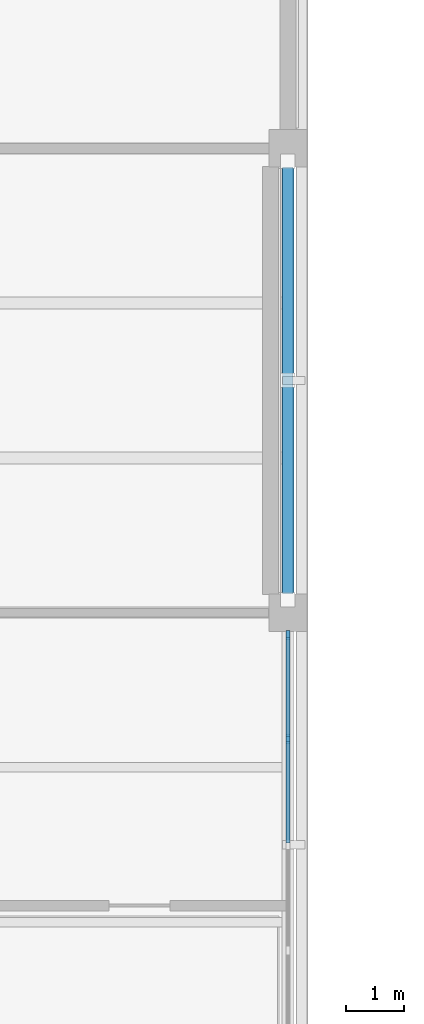
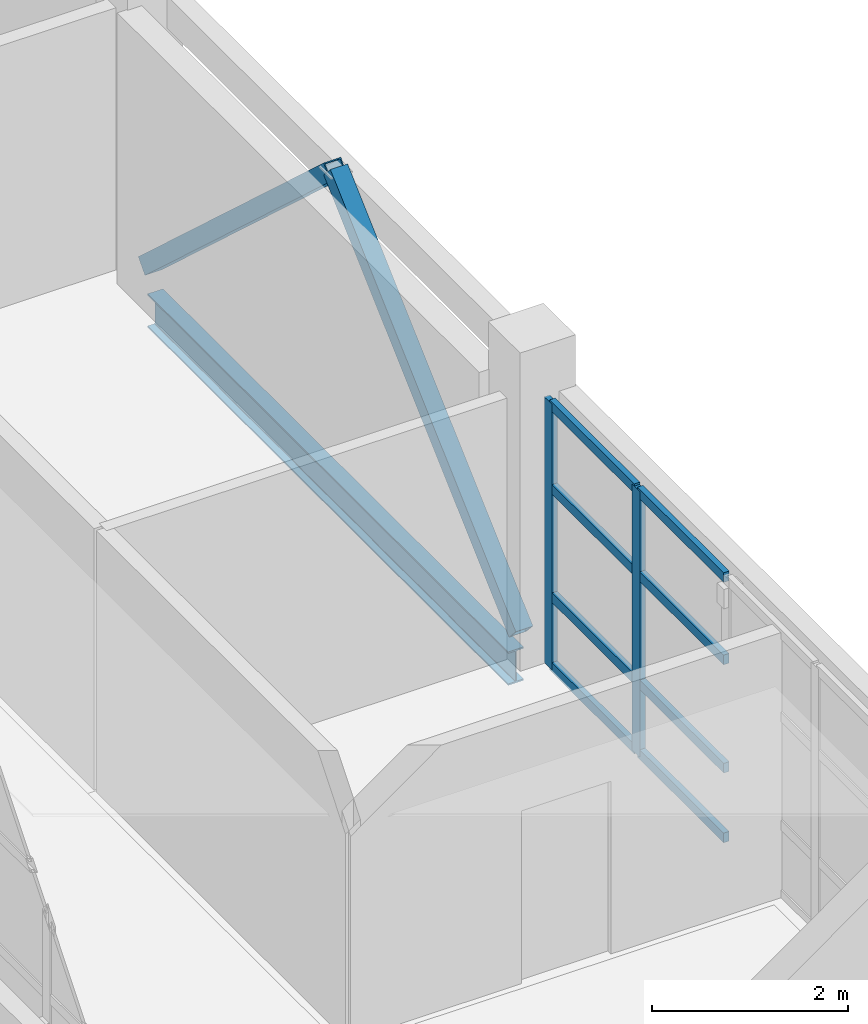
# One storey, part 44 of 92: 12 members, 1 beam, 1 element without a shape of its own.
"""IFC4 building model written with IfcOpenShell, lengths in metres."""

from ifc_helpers import new_model, si_unit, derived_unit, direction, frame, origin, origin_2d, place, context, subcontext, project, spatial, rectangle, hollow_rectangle, i_section, extrude, material, layer, layer_set, material_profile, profile_set, type_object, element, aggregate, save


model = new_model("IFC4")

# Units and contexts
model_context = context("Model", 3, precision=1e-05, world=origin(), true_north=direction((0.0, 1.0)))
body_context = subcontext(model_context, "Body", "Model", "MODEL_VIEW")
ifc_project = project(units=[si_unit("LENGTHUNIT", "METRE"), si_unit("AREAUNIT", "SQUARE_METRE"), si_unit("VOLUMEUNIT", "CUBIC_METRE"), si_unit("PLANEANGLEUNIT", "RADIAN"), si_unit("MASSUNIT", "GRAM", prefix="KILO"), derived_unit("THERMALTRANSMITTANCEUNIT", [(si_unit("MASSUNIT", "GRAM", prefix="KILO"), 1), (si_unit("TIMEUNIT", "SECOND"), -3), (si_unit("THERMODYNAMICTEMPERATUREUNIT", "KELVIN"), -1)])], contexts=[model_context])

# Site, building, storey
site_placement = place(None, origin())
site = spatial("IfcSite", under=ifc_project, at=site_placement, CompositionType="ELEMENT")
building_placement = place(site_placement, origin())
building = spatial("IfcBuilding", under=site, at=building_placement, Name="Veyamyaing Civic Hall", CompositionType="ELEMENT")
storey_placement = place(building_placement, frame((0.0, 0.0, 17.820068359375)))
storey = spatial("IfcBuildingStorey", under=building, at=storey_placement, Name="L04", CompositionType="ELEMENT", Elevation=17.820068359375)

# Beam
ifc_material_1 = material(Name="Steel ASTM A992", Category="steel")
ifc_material_profile_1 = material_profile(ifc_material_1, i_section(OverallWidth=0.180908203125, OverallDepth=0.4169921875, WebThickness=0.010986328125, FlangeThickness=0.018310546875, FilletRadius=0.010009765625, at=origin_2d()), Name="W410X85")
ifc_profile_set_1 = profile_set([ifc_material_profile_1], Name="Steel ASTM A992")
beam_type = type_object("IfcBeamType", Name="B-19", PredefinedType="SPANDREL", material=ifc_profile_set_1)
beam_placement = place(storey_placement, frame((176.0, 88.324951171875, -0.443603515625), z_axis=(0.0, 1.0, 0.0), x_axis=(-1.0, 0.0, 0.0)))
element("IfcBeam", 1, at=beam_placement, inside=storey, type_object=beam_type, Name="Girder B-19 L04 Grid 23 M-N", PredefinedType="SPANDREL", context=body_context, shape_type="SweptSolid", body=[
    extrude(i_section(OverallWidth=0.180908203125, OverallDepth=0.4169921875, WebThickness=0.010986328125, FlangeThickness=0.018310546875, FilletRadius=0.010009765625, at=origin_2d()), origin(), (0.0, 0.0, 1.0), 7.35009765625),
])

# Members
ifc_material_2 = material(Name="Steel S355J2", Category="steel")
ifc_material_profile_2 = material_profile(ifc_material_2, hollow_rectangle(XDim=0.202880859375, YDim=0.202880859375, WallThickness=0.0126953125, at=origin_2d()), Name="HSS203X203X12.7")
ifc_profile_set_2 = profile_set([ifc_material_profile_2], Name="Steel S355J2")
member_type_1 = type_object("IfcMemberType", Name="BR-02", PredefinedType="BRACE", material=ifc_profile_set_2)
for number, where, z_axis, x_axis, name in (
    (2, (176.0, 88.219970703125, 0.050048828125), (0.0, 0.737646368513, 0.675187259224), (-1.0, 0.0, 0.0), "Seismic chevron brace BR-02 BF-NE L04.L"),
    (3, (176.0, 95.780029296875, 0.050048828125), (0.0, -0.737646368513, 0.675187259224), (1.0, 0.0, 0.0), "Seismic chevron brace BR-02 BF-NE L04.R"),
):
    element("IfcMember", number, at=place(storey_placement, frame(where, z_axis=z_axis, x_axis=x_axis)), inside=storey, type_object=member_type_1, Name=name, PredefinedType="BRACE", context=body_context, shape_type="SweptSolid", body=[
        extrude(hollow_rectangle(XDim=0.202880859375, YDim=0.202880859375, WallThickness=0.0126953125, at=origin_2d()), origin(), (0.0, 0.0, 1.0), 5.12451171875),
    ])

# Curtain wall, members
ifc_material_3 = material(Name="Anodised aluminium 6063-T6", Category="aluminium")
ifc_layer = layer(ifc_material_3, 0.159912109375, Name="Anodised aluminium 6063-T6")
ifc_layer_set = layer_set([ifc_layer], Name="Anodised aluminium 6063-T6")
curtain_wall_type = type_object("IfcCurtainWallType", Name="CW-08", PredefinedType="NOTDEFINED", material=ifc_layer_set)
curtain_wall_placement = place(storey_placement, origin())
curtain_wall = element("IfcCurtainWall", 4, at=curtain_wall_placement, inside=storey, type_object=curtain_wall_type, Name="Unitized curtain wall CW-08 L04 E 22.11", PredefinedType="NOTDEFINED")
ifc_material_profile_3 = material_profile(ifc_material_3, rectangle(XDim=0.06494140625, YDim=0.159912109375, at=origin_2d()), Name="ALU-MUL-65X160")
ifc_profile_set_3 = profile_set([ifc_material_profile_3], Name="Anodised aluminium 6063-T6")
member_type_2 = type_object("IfcMemberType", Name="CWM-01", PredefinedType="MULLION", material=ifc_profile_set_3)
member_1_placement = place(storey_placement, frame((176.0, 85.822509765625, 0.0), z_axis=(0.0, 0.0, 1.0), x_axis=(-1.0, 0.0, 0.0)))
member_1 = element("IfcMember", 5, at=member_1_placement, type_object=member_type_2, Name="CW-08 mullion 4", PredefinedType="MULLION", context=body_context, shape_type="SweptSolid", body=[
    extrude(rectangle(XDim=0.06494140625, YDim=0.159912109375, at=origin_2d()), origin(), (0.0, 0.0, 1.0), 3.304931640625),
])
member_2_placement = place(storey_placement, frame((176.0, 87.612548828125, 0.0), z_axis=(0.0, 0.0, 1.0), x_axis=(-1.0, 0.0, 0.0)))
member_2 = element("IfcMember", 6, at=member_2_placement, type_object=member_type_2, Name="CW-08 mullion 5", PredefinedType="MULLION", context=body_context, shape_type="SweptSolid", body=[
    extrude(rectangle(XDim=0.06494140625, YDim=0.159912109375, at=origin_2d()), origin(), (0.0, 0.0, 1.0), 3.304931640625),
])
ifc_material_profile_4 = material_profile(ifc_material_3, rectangle(XDim=0.06494140625, YDim=0.1201171875, at=origin_2d()), Name="ALU-TRN-65X120")
ifc_profile_set_4 = profile_set([ifc_material_profile_4], Name="Anodised aluminium 6063-T6")
member_type_3 = type_object("IfcMemberType", Name="CWT-01", PredefinedType="USERDEFINED", material=ifc_profile_set_4)
member_3_placement = place(storey_placement, frame((176.0, 84.032470703125, 0.032470703125), z_axis=(0.0, 1.0, 0.0), x_axis=(-1.0, 0.0, 0.0)))
member_3 = element("IfcMember", 7, at=member_3_placement, type_object=member_type_3, Name="CW-08 transom 3.1", ObjectType="TRANSOM", PredefinedType="USERDEFINED", context=body_context, shape_type="SweptSolid", body=[
    extrude(rectangle(XDim=0.06494140625, YDim=0.1201171875, at=origin_2d()), origin(), (0.0, 0.0, 1.0), 1.757568359375),
])
member_4_placement = place(storey_placement, frame((176.0, 84.032470703125, 0.89990234375), z_axis=(0.0, 1.0, 0.0), x_axis=(-1.0, 0.0, 0.0)))
member_4 = element("IfcMember", 8, at=member_4_placement, type_object=member_type_3, Name="CW-08 transom 3.2", ObjectType="TRANSOM", PredefinedType="USERDEFINED", context=body_context, shape_type="SweptSolid", body=[
    extrude(rectangle(XDim=0.06494140625, YDim=0.1201171875, at=origin_2d()), origin(), (0.0, 0.0, 1.0), 1.757568359375),
])
member_5_placement = place(storey_placement, frame((176.0, 84.032470703125, 2.247314453125), z_axis=(0.0, 1.0, 0.0), x_axis=(-1.0, 0.0, 0.0)))
member_5 = element("IfcMember", 9, at=member_5_placement, type_object=member_type_3, Name="CW-08 transom 3.3", ObjectType="TRANSOM", PredefinedType="USERDEFINED", context=body_context, shape_type="SweptSolid", body=[
    extrude(rectangle(XDim=0.06494140625, YDim=0.1201171875, at=origin_2d()), origin(), (0.0, 0.0, 1.0), 1.757568359375),
])
member_6_placement = place(storey_placement, frame((176.0, 84.032470703125, 3.2724609375), z_axis=(0.0, 1.0, 0.0), x_axis=(-1.0, 0.0, 0.0)))
member_6 = element("IfcMember", 10, at=member_6_placement, type_object=member_type_3, Name="CW-08 transom 3.4", ObjectType="TRANSOM", PredefinedType="USERDEFINED", context=body_context, shape_type="SweptSolid", body=[
    extrude(rectangle(XDim=0.06494140625, YDim=0.1201171875, at=origin_2d()), origin(), (0.0, 0.0, 1.0), 1.757568359375),
])
member_7_placement = place(storey_placement, frame((176.0, 85.85498046875, 0.032470703125), z_axis=(0.0, 1.0, 0.0), x_axis=(-1.0, 0.0, 0.0)))
member_7 = element("IfcMember", 11, at=member_7_placement, type_object=member_type_3, Name="CW-08 transom 4.1", ObjectType="TRANSOM", PredefinedType="USERDEFINED", context=body_context, shape_type="SweptSolid", body=[
    extrude(rectangle(XDim=0.06494140625, YDim=0.1201171875, at=origin_2d()), origin(), (0.0, 0.0, 1.0), 1.72509765625),
])
member_8_placement = place(storey_placement, frame((176.0, 85.85498046875, 0.89990234375), z_axis=(0.0, 1.0, 0.0), x_axis=(-1.0, 0.0, 0.0)))
member_8 = element("IfcMember", 12, at=member_8_placement, type_object=member_type_3, Name="CW-08 transom 4.2", ObjectType="TRANSOM", PredefinedType="USERDEFINED", context=body_context, shape_type="SweptSolid", body=[
    extrude(rectangle(XDim=0.06494140625, YDim=0.1201171875, at=origin_2d()), origin(), (0.0, 0.0, 1.0), 1.72509765625),
])
member_9_placement = place(storey_placement, frame((176.0, 85.85498046875, 2.247314453125), z_axis=(0.0, 1.0, 0.0), x_axis=(-1.0, 0.0, 0.0)))
member_9 = element("IfcMember", 13, at=member_9_placement, type_object=member_type_3, Name="CW-08 transom 4.3", ObjectType="TRANSOM", PredefinedType="USERDEFINED", context=body_context, shape_type="SweptSolid", body=[
    extrude(rectangle(XDim=0.06494140625, YDim=0.1201171875, at=origin_2d()), origin(), (0.0, 0.0, 1.0), 1.72509765625),
])
member_10_placement = place(storey_placement, frame((176.0, 85.85498046875, 3.2724609375), z_axis=(0.0, 1.0, 0.0), x_axis=(-1.0, 0.0, 0.0)))
member_10 = element("IfcMember", 14, at=member_10_placement, type_object=member_type_3, Name="CW-08 transom 4.4", ObjectType="TRANSOM", PredefinedType="USERDEFINED", context=body_context, shape_type="SweptSolid", body=[
    extrude(rectangle(XDim=0.06494140625, YDim=0.1201171875, at=origin_2d()), origin(), (0.0, 0.0, 1.0), 1.72509765625),
])
aggregate(curtain_wall, [member_1, member_2, member_3, member_4, member_5, member_6, member_7, member_8, member_9, member_10])

save(model, "model.ifc")
